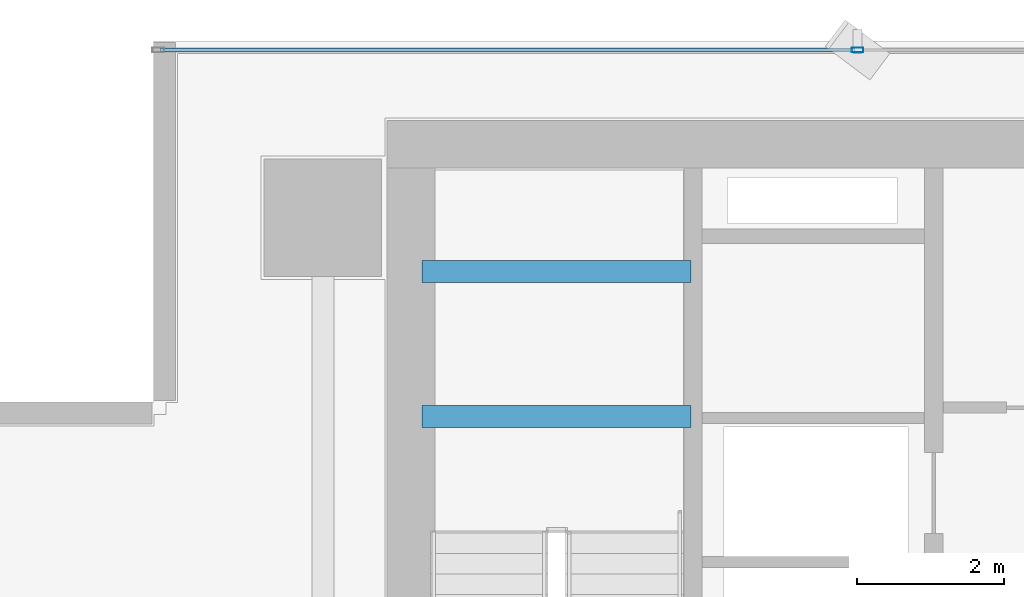
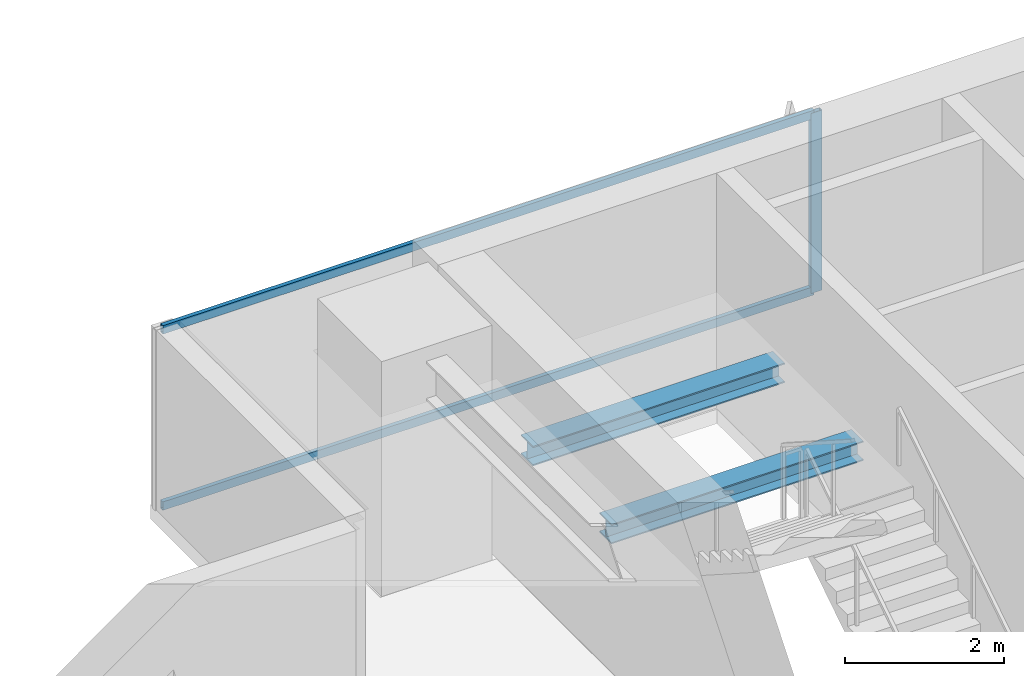
# One storey, part 15 of 27: 3 members, 2 beams, 1 element without a shape of its own.
"""IFC4 building model written with IfcOpenShell, lengths in metres."""

from ifc_helpers import new_model, si_unit, direction, frame, origin, origin_2d, place, context, subcontext, project, spatial, hollow_rectangle, i_section, extrude, source, transform, mapped, material, layer, layer_set, material_profile, profile_set, type_object, element, aggregate, save


model = new_model("IFC4")

# Units and contexts
model_context = context("Model", 3, precision=1e-05, world=origin(), true_north=direction((0.0, 1.0)))
body_context = subcontext(model_context, "Body", "Model", "MODEL_VIEW")
ifc_project = project(units=[si_unit("LENGTHUNIT", "METRE"), si_unit("AREAUNIT", "SQUARE_METRE"), si_unit("VOLUMEUNIT", "CUBIC_METRE"), si_unit("PLANEANGLEUNIT", "RADIAN"), si_unit("MASSUNIT", "GRAM", prefix="KILO")], contexts=[model_context])

# Site, building, storey
site_placement = place(None, origin())
site = spatial("IfcSite", under=ifc_project, at=site_placement, CompositionType="ELEMENT")
building_placement = place(site_placement, origin())
building = spatial("IfcBuilding", under=site, at=building_placement, Name="Sumidabori Civic Tower", CompositionType="ELEMENT")
storey_placement = place(building_placement, frame((0.0, 0.0, 138.800048828125)))
storey = spatial("IfcBuildingStorey", under=building, at=storey_placement, Name="L35", CompositionType="ELEMENT", Elevation=138.800048828125)

# Beams
ifc_material_1 = material(Name="Steel SN490", Category="steel")
ifc_material_profile_1 = material_profile(ifc_material_1, i_section(OverallWidth=0.300048828125, OverallDepth=0.300048828125, WebThickness=0.010986328125, FlangeThickness=0.01904296875, at=origin_2d()), Name="HE 300 B")
ifc_profile_set_1 = profile_set([ifc_material_profile_1], Name="Steel SN490")
beam_type = type_object("IfcBeamType", Name="BM-LDG-300", PredefinedType="BEAM", material=ifc_profile_set_1)
shared_shape_1 = source(origin(), body_context, "Body", "SweptSolid", [
    extrude(i_section(OverallWidth=0.300048828125, OverallDepth=0.300048828125, WebThickness=0.010986328125, FlangeThickness=0.01904296875, at=origin_2d()), origin(), (0.0, 0.0, 1.0), 3.64990234375),
])
for number, where, z_axis, x_axis, name in (
    (1, (-15.449951171875, 20.09765625, 1.449951171875), (1.0, 0.0, 0.0), (0.0, 1.0, 0.0), "Stair ST-1 Landing Support Beam L35-1A"),
    (2, (-15.449951171875, 22.069580078125, 1.449951171875), (1.0, 0.0, 0.0), (0.0, 1.0, 0.0), "Stair ST-1 Landing Trimmer Beam L35-1B"),
):
    element("IfcBeam", number, at=place(storey_placement, frame(where, z_axis=z_axis, x_axis=x_axis)), inside=storey, type_object=beam_type, Name=name, PredefinedType="BEAM", context=body_context, shape_type="MappedRepresentation", body=[
        mapped(shared_shape_1, transform((0.0, 0.0, 0.0), x_axis=(1.0, 0.0, 0.0), y_axis=(0.0, 1.0, 0.0), z_axis=(0.0, 0.0, 1.0), scale=1.0)),
    ])

# Curtain wall, members
ifc_material_2 = material(Name="Anodised Bronze Aluminium AW-6063-T6", Category="aluminium")
ifc_layer = layer(ifc_material_2, 0.179931640625, Name="Anodised Bronze Aluminium AW-6063-T6")
ifc_layer_set = layer_set([ifc_layer], Name="Anodised Bronze Aluminium AW-6063-T6")
curtain_wall_type = type_object("IfcCurtainWallType", Name="CW-SYS-3", PredefinedType="NOTDEFINED", material=ifc_layer_set)
curtain_wall_placement = place(storey_placement, origin())
curtain_wall = element("IfcCurtainWall", 3, at=curtain_wall_placement, inside=storey, type_object=curtain_wall_type, Name="Curtain Wall CW:L35:R07", PredefinedType="NOTDEFINED")
ifc_material_profile_2 = material_profile(ifc_material_2, hollow_rectangle(XDim=0.06494140625, YDim=0.159912109375, WallThickness=0.0048828125, at=origin_2d()), Name="ALU MULLION 160x65")
ifc_profile_set_2 = profile_set([ifc_material_profile_2], Name="Anodised Bronze Aluminium AW-6063-T6")
member_type_1 = type_object("IfcMemberType", Name="CW-MUL-160", PredefinedType="MULLION", material=ifc_profile_set_2)
shared_shape_2 = source(origin(), body_context, "Body", "SweptSolid", [
    extrude(hollow_rectangle(XDim=0.06494140625, YDim=0.159912109375, WallThickness=0.0048828125, at=origin_2d()), origin(), (0.0, 0.0, 1.0), 2.760009765625),
])
member_1_placement = place(storey_placement, frame((-9.534912109375, 25.080078125, 0.0), z_axis=(0.0, 0.0, 1.0), x_axis=(0.0, -1.0, 0.0)))
member_1 = element("IfcMember", 4, at=member_1_placement, type_object=member_type_1, Name="CW-3 mullion 4", PredefinedType="MULLION", context=body_context, shape_type="MappedRepresentation", body=[
    mapped(shared_shape_2, transform((0.0, 0.0, 0.0), x_axis=(1.0, 0.0, 0.0), y_axis=(0.0, 1.0, 0.0), z_axis=(0.0, 0.0, 1.0), scale=1.0)),
])
ifc_material_profile_3 = material_profile(ifc_material_2, hollow_rectangle(XDim=0.06005859375, YDim=0.1298828125, WallThickness=0.0048828125, at=origin_2d()), Name="ALU TRANSOM 130x60")
ifc_profile_set_3 = profile_set([ifc_material_profile_3], Name="Anodised Bronze Aluminium AW-6063-T6")
member_type_2 = type_object("IfcMemberType", Name="CW-TRN-130", PredefinedType="USERDEFINED", material=ifc_profile_set_3)
shared_shape_3 = source(origin(), body_context, "Body", "SweptSolid", [
    extrude(hollow_rectangle(XDim=0.06005859375, YDim=0.1298828125, WallThickness=0.0048828125, at=origin_2d()), origin(), (0.0, 0.0, 1.0), 9.4375),
])
member_2_placement = place(storey_placement, frame((-9.5673828125, 25.080078125, 0.030029296875), z_axis=(-1.0, 0.0, 0.0), x_axis=(0.0, -1.0, 0.0)))
member_2 = element("IfcMember", 5, at=member_2_placement, type_object=member_type_2, Name="CW-3 transom 4.1", ObjectType="TRANSOM", PredefinedType="USERDEFINED", context=body_context, shape_type="MappedRepresentation", body=[
    mapped(shared_shape_3, transform((0.0, 0.0, 0.0), x_axis=(1.0, 0.0, 0.0), y_axis=(0.0, 1.0, 0.0), z_axis=(0.0, 0.0, 1.0), scale=1.0)),
])
member_3_placement = place(storey_placement, frame((-9.5673828125, 25.080078125, 2.72998046875), z_axis=(-1.0, 0.0, 0.0), x_axis=(0.0, -1.0, 0.0)))
member_3 = element("IfcMember", 6, at=member_3_placement, type_object=member_type_2, Name="CW-3 transom 4.2", ObjectType="TRANSOM", PredefinedType="USERDEFINED", context=body_context, shape_type="MappedRepresentation", body=[
    mapped(shared_shape_3, transform((0.0, 0.0, 0.0), x_axis=(1.0, 0.0, 0.0), y_axis=(0.0, 1.0, 0.0), z_axis=(0.0, 0.0, 1.0), scale=1.0)),
])
aggregate(curtain_wall, [member_1, member_2, member_3])

save(model, "model.ifc")
